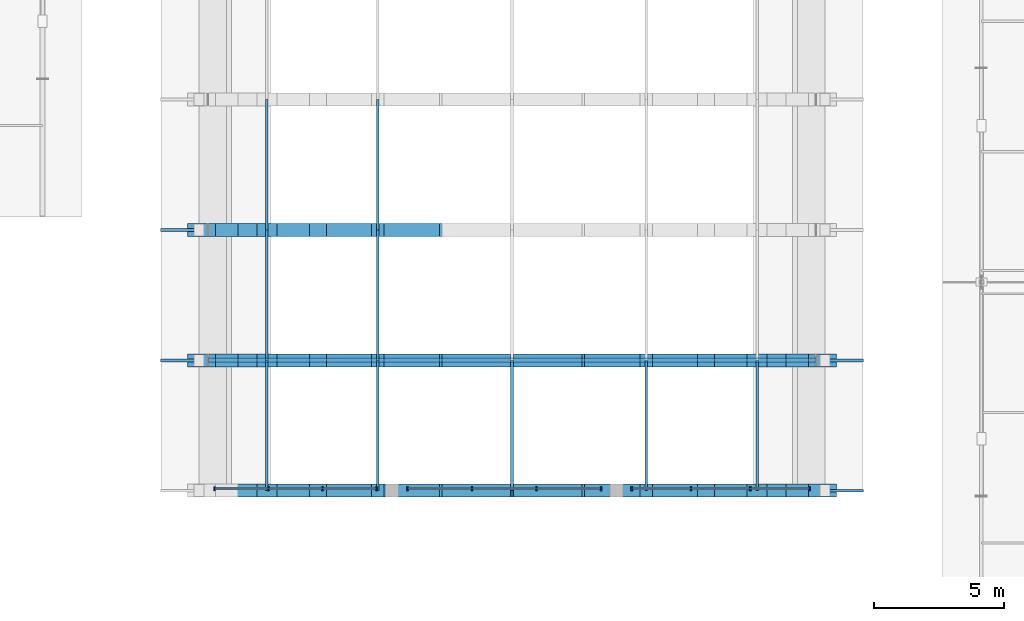
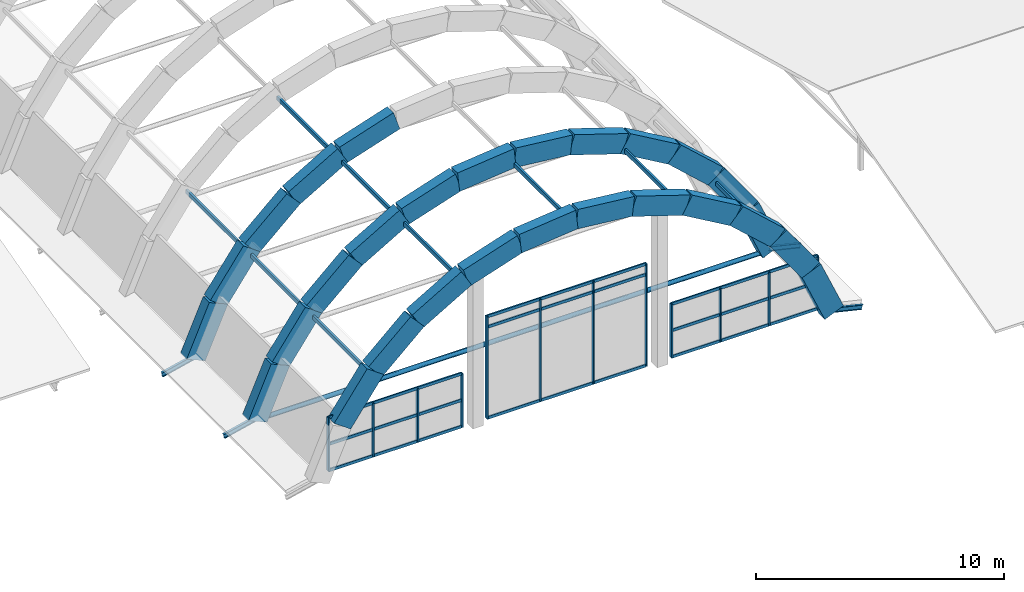
# One storey, part 14 of 76: 32 beams, 31 members, 3 elements without a shape of their own.
"""IFC4 building model written with IfcOpenShell, lengths in metres."""

import ifcopenshell
import ifcopenshell.guid

model = None  # the IFC model being written
_history = None  # IfcOwnerHistory: only IFC2X3 demands one
_inside = {}  # id of a spatial element -> (the spatial element, [elements in it])
_under = {}  # id of a project, library or spatial element -> (it, [spatial elements below it])
_declared = {}  # id of a project -> (the project, [libraries it declares])
_typed = {}  # id of a type object -> (the type object, [elements of that type])
_made_of = {}  # id of a material, layer set ... -> (it, [elements and type objects made of it])


def new_model(schema):
    """Start an empty IFC model of exactly this schema.

    Asked for "IFC4X3", IfcOpenShell would pick the latest addendum, in which some entities
    have other attributes; the version numbers below select the first issue.
    IFC2X3 requires an IfcOwnerHistory on every rooted entity: one is made here for all.
    """
    global model, _history
    if schema == "IFC4X3":
        model = ifcopenshell.file(schema_version=(4, 3, 0, 0))
    else:
        model = ifcopenshell.file(schema=schema)
    _inside.clear()
    _under.clear()
    _declared.clear()
    _typed.clear()
    _made_of.clear()
    _history = None
    if model.schema == "IFC2X3":
        org = make("IfcOrganization", Name="unknown")
        user = make(
            "IfcPersonAndOrganization",
            ThePerson=make("IfcPerson", FamilyName="unknown"),
            TheOrganization=org,
        )
        app = make(
            "IfcApplication",
            ApplicationDeveloper=org,
            Version="unknown",
            ApplicationFullName="unknown",
            ApplicationIdentifier="unknown",
        )
        _history = make(
            "IfcOwnerHistory",
            OwningUser=user,
            OwningApplication=app,
            ChangeAction="ADDED",
            CreationDate=0,
        )
    return model


def make(cls, **values):
    """One entity of the class cls with the attributes given. An attribute that is None is left unset."""
    return model.create_entity(
        cls, **{name: value for name, value in values.items() if value is not None}
    )


def rooted(cls, **values):
    """An entity with a GlobalId (a new one), such as an element, a storey or a relation."""
    return make(cls, GlobalId=ifcopenshell.guid.new(), OwnerHistory=_history, **values)


def si_unit(unit_type, name, prefix=None):
    """IfcSIUnit, for example si_unit("LENGTHUNIT", "METRE", prefix="MILLI")."""
    return make("IfcSIUnit", UnitType=unit_type, Prefix=prefix, Name=name)


def assignment(units):
    """IfcUnitAssignment: the units of a project."""
    return None if units is None else make("IfcUnitAssignment", Units=units)


def point(xyz):
    """IfcCartesianPoint."""
    return None if xyz is None else make("IfcCartesianPoint", Coordinates=xyz)


def direction(xyz):
    """IfcDirection."""
    return None if xyz is None else make("IfcDirection", DirectionRatios=xyz)


def frame(location, z_axis=None, x_axis=None):
    """IfcAxis2Placement3D, a coordinate frame: its origin and axes. An axis left out is left unset."""
    return make(
        "IfcAxis2Placement3D",
        Location=point(location),
        Axis=direction(z_axis),
        RefDirection=direction(x_axis),
    )


def frame_2d(location, x_axis=None):
    """IfcAxis2Placement2D, a coordinate frame in the plane: its origin and x axis."""
    return make(
        "IfcAxis2Placement2D", Location=point(location), RefDirection=direction(x_axis)
    )


def origin():
    """The frame at (0, 0, 0) with its axes left unset."""
    return frame((0.0, 0.0, 0.0))


def origin_2d():
    """The frame at (0, 0) in the plane with its x axis left unset."""
    return frame_2d((0.0, 0.0))


def place(relative_to, where):
    """IfcLocalPlacement: puts the frame where relative to a parent placement (None: the world)."""
    return make(
        "IfcLocalPlacement", PlacementRelTo=relative_to, RelativePlacement=where
    )


def context(
    kind, dimensions, precision=None, world=None, true_north=None, identifier=None
):
    """IfcGeometricRepresentationContext, for example the 3D "Model" context."""
    return make(
        "IfcGeometricRepresentationContext",
        ContextIdentifier=identifier,
        ContextType=kind,
        CoordinateSpaceDimension=dimensions,
        Precision=precision,
        WorldCoordinateSystem=world,
        TrueNorth=true_north,
    )


def subcontext(parent, identifier, kind, view, scale=None):
    """IfcGeometricRepresentationSubContext, for example "Body" below "Model"."""
    return make(
        "IfcGeometricRepresentationSubContext",
        ContextIdentifier=identifier,
        ContextType=kind,
        ParentContext=parent,
        TargetScale=scale,
        TargetView=view,
    )


def project(units=None, contexts=None):
    """IfcProject with its units and contexts."""
    return rooted(
        "IfcProject",
        Name="project",
        RepresentationContexts=contexts,
        UnitsInContext=assignment(units),
    )


def spatial(cls, under=None, at=None, **own):
    """A site, building, storey or space (cls), placed at a placement, below another one or the project."""
    s = rooted(cls, ObjectPlacement=at, **own)
    if under is not None:
        _under.setdefault(under.id(), (under, []))[1].append(s)
    return s


def profile(cls, at=None, kind="AREA", **sizes):
    """A parametric profile (cls). Its sizes go by their IFC names, for example OverallWidth=200.0."""
    return make(cls, ProfileType=kind, Position=at, **sizes)


def rectangle(**sizes):
    """IfcRectangleProfileDef."""
    return profile("IfcRectangleProfileDef", **sizes)


def hollow_rectangle(**sizes):
    """IfcRectangleHollowProfileDef."""
    return profile("IfcRectangleHollowProfileDef", **sizes)


def hollow_circle(**sizes):
    """IfcCircleHollowProfileDef."""
    return profile("IfcCircleHollowProfileDef", **sizes)


def i_section(**sizes):
    """IfcIShapeProfileDef."""
    return profile("IfcIShapeProfileDef", **sizes)


def extrude(swept, where, along, depth):
    """IfcExtrudedAreaSolid: the profile swept, set in the frame where, extruded along a direction by depth."""
    return make(
        "IfcExtrudedAreaSolid",
        SweptArea=swept,
        Position=where,
        ExtrudedDirection=direction(along),
        Depth=depth,
    )


def shape(context_of_items, identifier, shape_type, items):
    """IfcShapeRepresentation: the items that make up one representation, for example the "Body"."""
    return make(
        "IfcShapeRepresentation",
        ContextOfItems=context_of_items,
        RepresentationIdentifier=identifier,
        RepresentationType=shape_type,
        Items=items,
    )


def material(Name=None, Category=None):
    """IfcMaterial."""
    return make("IfcMaterial", Name=Name, Category=Category)


def material_profile(
    of_material, cross_section, Name=None, Category=None, Priority=None
):
    """IfcMaterialProfile: a cross section and its material."""
    return make(
        "IfcMaterialProfile",
        Name=Name,
        Material=of_material,
        Profile=cross_section,
        Priority=Priority,
        Category=Category,
    )


def profile_set(profiles, Name=None, composite=None):
    """IfcMaterialProfileSet."""
    return make(
        "IfcMaterialProfileSet",
        Name=Name,
        MaterialProfiles=profiles,
        CompositeProfile=composite,
    )


def made_of(thing, what):
    """Note that an element or type object is made of a material, layer set ...; save() writes the relation."""
    if what is not None:
        _made_of.setdefault(what.id(), (what, []))[1].append(thing)
    return thing


def type_object(cls, material=None, **own):
    """A type object (cls), such as IfcWallType, which elements share."""
    return made_of(rooted(cls, **own), material)


def element(
    cls,
    number,
    at=None,
    inside=None,
    cuts=None,
    type_object=None,
    material=None,
    context=None,
    identifier="Body",
    shape_type=None,
    held_by="IfcProductDefinitionShape",
    body=None,
    shapes=None,
    **own,
):
    """One element of the class cls, such as IfcWall. Its Tag is "e" and its number.

    at: its placement. inside: the storey or other place that contains it. cuts: it is an
    opening in that element (IfcRelVoidsElement). A single representation is given by context,
    identifier, shape_type and body (its items); several are given by shapes. held_by: the class
    of the entity that holds the representations. save() writes the other relations.
    """
    e = rooted(cls, Tag="e%d" % number, ObjectPlacement=at, **own)
    if body is not None:
        shapes = [shape(context, identifier, shape_type, body)]
    if shapes is not None:
        e.Representation = make(held_by, Representations=shapes)
    if inside is not None:
        _inside.setdefault(inside.id(), (inside, []))[1].append(e)
    if cuts is not None:
        rooted(
            "IfcRelVoidsElement", RelatingBuildingElement=cuts, RelatedOpeningElement=e
        )
    if type_object is not None:
        _typed.setdefault(type_object.id(), (type_object, []))[1].append(e)
    return made_of(e, material)


def aggregate(whole, parts):
    """IfcRelAggregates: a whole, such as a stair, and the parts it consists of."""
    return rooted("IfcRelAggregates", RelatingObject=whole, RelatedObjects=parts)


def save(model, path):
    """Write the relations noted so far, then the file.

    IfcRelAggregates (storeys below a building ...), IfcRelContainedInSpatialStructure (elements
    in a storey), IfcRelDefinesByType, IfcRelAssociatesMaterial and IfcRelDeclares: one each for
    every whole, place, type object, material and project.
    """
    for whole, parts in _under.values():
        aggregate(whole, parts)
    for where, things in _inside.values():
        rooted(
            "IfcRelContainedInSpatialStructure",
            RelatedElements=things,
            RelatingStructure=where,
        )
    for kind, things in _typed.values():
        rooted("IfcRelDefinesByType", RelatedObjects=things, RelatingType=kind)
    for what, things in _made_of.values():
        rooted("IfcRelAssociatesMaterial", RelatedObjects=things, RelatingMaterial=what)
    for by, libraries in _declared.values():
        rooted("IfcRelDeclares", RelatingContext=by, RelatedDefinitions=libraries)
    model.write(path)


model = new_model("IFC4")

# Units and contexts
model_context = context("Model", 3, precision=1e-05, world=origin(), true_north=direction((0.0, 1.0)))
body_context = subcontext(model_context, "Body", "Model", "MODEL_VIEW")
ifc_project = project(units=[si_unit("LENGTHUNIT", "METRE"), si_unit("AREAUNIT", "SQUARE_METRE"), si_unit("VOLUMEUNIT", "CUBIC_METRE"), si_unit("PLANEANGLEUNIT", "RADIAN"), si_unit("MASSUNIT", "GRAM", prefix="KILO")], contexts=[model_context])

# Site, building, storey
site_placement = place(None, origin())
site = spatial("IfcSite", under=ifc_project, at=site_placement, CompositionType="ELEMENT")
building_placement = place(site_placement, origin())
building = spatial("IfcBuilding", under=site, at=building_placement, Name="Kiranvali Square Residences", CompositionType="ELEMENT")
storey_placement = place(building_placement, frame((0.0, 0.0, 8.699951171875)))
storey = spatial("IfcBuildingStorey", under=building, at=storey_placement, Name="L02", CompositionType="ELEMENT", Elevation=8.699951171875)

# Curtain wall, members
ifc_material_1 = material(Name="Anodised bronze aluminium framing", Category="aluminium")
curtain_wall_type = type_object("IfcCurtainWallType", Name="CW-CH-TYM", PredefinedType="USERDEFINED", material=ifc_material_1)
curtain_wall_1_placement = place(storey_placement, origin())
curtain_wall_1 = element("IfcCurtainWall", 1, at=curtain_wall_1_placement, inside=storey, type_object=curtain_wall_type, Name="Community Hall S vaulted tympanum glazing 1", ObjectType="CURTAIN WALL", PredefinedType="USERDEFINED")
ifc_material_profile_1 = material_profile(ifc_material_1, rectangle(XDim=0.06494140625, YDim=0.159912109375, at=origin_2d()), Name="ALU 65x160")
ifc_profile_set_1 = profile_set([ifc_material_profile_1], Name="Anodised bronze aluminium framing")
member_type_1 = type_object("IfcMemberType", Name="CW-MUL-160", PredefinedType="MULLION", material=ifc_profile_set_1)
member_1_placement = place(storey_placement, frame((72.590087890625, 44.080078125, 0.0400390625), z_axis=(0.0, 0.0, 1.0), x_axis=(1.0, 0.0, 0.0)))
member_1 = element("IfcMember", 2, at=member_1_placement, type_object=member_type_1, Name="CW-CH-TYM-S-1 vertical mullion 1", PredefinedType="MULLION", context=body_context, shape_type="SweptSolid", body=[
    extrude(rectangle(XDim=0.06494140625, YDim=0.159912109375, at=origin_2d()), origin(), (0.0, 0.0, 1.0), 2.639892578125),
])
member_2_placement = place(storey_placement, frame((74.663330078125, 44.080078125, 0.0400390625), z_axis=(0.0, 0.0, 1.0), x_axis=(1.0, 0.0, 0.0)))
member_2 = element("IfcMember", 3, at=member_2_placement, type_object=member_type_1, Name="CW-CH-TYM-S-1 vertical mullion 2", PredefinedType="MULLION", context=body_context, shape_type="SweptSolid", body=[
    extrude(rectangle(XDim=0.06494140625, YDim=0.159912109375, at=origin_2d()), origin(), (0.0, 0.0, 1.0), 2.639892578125),
])
member_3_placement = place(storey_placement, frame((76.736572265625, 44.080078125, 0.0400390625), z_axis=(0.0, 0.0, 1.0), x_axis=(1.0, 0.0, 0.0)))
member_3 = element("IfcMember", 4, at=member_3_placement, type_object=member_type_1, Name="CW-CH-TYM-S-1 vertical mullion 3", PredefinedType="MULLION", context=body_context, shape_type="SweptSolid", body=[
    extrude(rectangle(XDim=0.06494140625, YDim=0.159912109375, at=origin_2d()), origin(), (0.0, 0.0, 1.0), 2.639892578125),
])
member_4_placement = place(storey_placement, frame((78.81005859375, 44.080078125, 0.0400390625), z_axis=(0.0, 0.0, 1.0), x_axis=(1.0, 0.0, 0.0)))
member_4 = element("IfcMember", 5, at=member_4_placement, type_object=member_type_1, Name="CW-CH-TYM-S-1 vertical mullion 4", PredefinedType="MULLION", context=body_context, shape_type="SweptSolid", body=[
    extrude(rectangle(XDim=0.06494140625, YDim=0.159912109375, at=origin_2d()), origin(), (0.0, 0.0, 1.0), 2.639892578125),
])

curtain_wall_2_placement = place(storey_placement, origin())
curtain_wall_2 = element("IfcCurtainWall", 6, at=curtain_wall_2_placement, inside=storey, type_object=curtain_wall_type, Name="Community Hall S vaulted tympanum glazing 2", ObjectType="CURTAIN WALL", PredefinedType="USERDEFINED")
member_5_placement = place(storey_placement, frame((79.989990234375, 44.080078125, 0.0400390625), z_axis=(0.0, 0.0, 1.0), x_axis=(1.0, 0.0, 0.0)))
member_5 = element("IfcMember", 7, at=member_5_placement, type_object=member_type_1, Name="CW-CH-TYM-S-2 vertical mullion 1", PredefinedType="MULLION", context=body_context, shape_type="SweptSolid", body=[
    extrude(rectangle(XDim=0.06494140625, YDim=0.159912109375, at=origin_2d()), origin(), (0.0, 0.0, 1.0), 5.0400390625),
])
member_6_placement = place(storey_placement, frame((82.46337890625, 44.080078125, 0.0400390625), z_axis=(0.0, 0.0, 1.0), x_axis=(1.0, 0.0, 0.0)))
member_6 = element("IfcMember", 8, at=member_6_placement, type_object=member_type_1, Name="CW-CH-TYM-S-2 vertical mullion 2", PredefinedType="MULLION", context=body_context, shape_type="SweptSolid", body=[
    extrude(rectangle(XDim=0.06494140625, YDim=0.159912109375, at=origin_2d()), origin(), (0.0, 0.0, 1.0), 5.0400390625),
])
member_7_placement = place(storey_placement, frame((84.936767578125, 44.080078125, 0.0400390625), z_axis=(0.0, 0.0, 1.0), x_axis=(1.0, 0.0, 0.0)))
member_7 = element("IfcMember", 9, at=member_7_placement, type_object=member_type_1, Name="CW-CH-TYM-S-2 vertical mullion 3", PredefinedType="MULLION", context=body_context, shape_type="SweptSolid", body=[
    extrude(rectangle(XDim=0.06494140625, YDim=0.159912109375, at=origin_2d()), origin(), (0.0, 0.0, 1.0), 5.0400390625),
])
member_8_placement = place(storey_placement, frame((87.409912109375, 44.080078125, 0.0400390625), z_axis=(0.0, 0.0, 1.0), x_axis=(1.0, 0.0, 0.0)))
member_8 = element("IfcMember", 10, at=member_8_placement, type_object=member_type_1, Name="CW-CH-TYM-S-2 vertical mullion 4", PredefinedType="MULLION", context=body_context, shape_type="SweptSolid", body=[
    extrude(rectangle(XDim=0.06494140625, YDim=0.159912109375, at=origin_2d()), origin(), (0.0, 0.0, 1.0), 5.0400390625),
])

curtain_wall_3_placement = place(storey_placement, origin())
curtain_wall_3 = element("IfcCurtainWall", 11, at=curtain_wall_3_placement, inside=storey, type_object=curtain_wall_type, Name="Community Hall S vaulted tympanum glazing 3", ObjectType="CURTAIN WALL", PredefinedType="USERDEFINED")
member_9_placement = place(storey_placement, frame((88.590087890625, 44.080078125, 0.0400390625), z_axis=(0.0, 0.0, 1.0), x_axis=(1.0, 0.0, 0.0)))
member_9 = element("IfcMember", 12, at=member_9_placement, type_object=member_type_1, Name="CW-CH-TYM-S-3 vertical mullion 1", PredefinedType="MULLION", context=body_context, shape_type="SweptSolid", body=[
    extrude(rectangle(XDim=0.06494140625, YDim=0.159912109375, at=origin_2d()), origin(), (0.0, 0.0, 1.0), 2.639892578125),
])
member_10_placement = place(storey_placement, frame((90.86328125, 44.080078125, 0.0400390625), z_axis=(0.0, 0.0, 1.0), x_axis=(1.0, 0.0, 0.0)))
member_10 = element("IfcMember", 13, at=member_10_placement, type_object=member_type_1, Name="CW-CH-TYM-S-3 vertical mullion 2", PredefinedType="MULLION", context=body_context, shape_type="SweptSolid", body=[
    extrude(rectangle(XDim=0.06494140625, YDim=0.159912109375, at=origin_2d()), origin(), (0.0, 0.0, 1.0), 2.639892578125),
])
member_11_placement = place(storey_placement, frame((93.13671875, 44.080078125, 0.0400390625), z_axis=(0.0, 0.0, 1.0), x_axis=(1.0, 0.0, 0.0)))
member_11 = element("IfcMember", 14, at=member_11_placement, type_object=member_type_1, Name="CW-CH-TYM-S-3 vertical mullion 3", PredefinedType="MULLION", context=body_context, shape_type="SweptSolid", body=[
    extrude(rectangle(XDim=0.06494140625, YDim=0.159912109375, at=origin_2d()), origin(), (0.0, 0.0, 1.0), 2.639892578125),
])
member_12_placement = place(storey_placement, frame((95.409912109375, 44.080078125, 0.0400390625), z_axis=(0.0, 0.0, 1.0), x_axis=(1.0, 0.0, 0.0)))
member_12 = element("IfcMember", 15, at=member_12_placement, type_object=member_type_1, Name="CW-CH-TYM-S-3 vertical mullion 4", PredefinedType="MULLION", context=body_context, shape_type="SweptSolid", body=[
    extrude(rectangle(XDim=0.06494140625, YDim=0.159912109375, at=origin_2d()), origin(), (0.0, 0.0, 1.0), 2.639892578125),
])

# Member
ifc_material_profile_2 = material_profile(ifc_material_1, rectangle(XDim=0.06494140625, YDim=0.139892578125, at=origin_2d()), Name="ALU 65x140")
ifc_profile_set_2 = profile_set([ifc_material_profile_2], Name="Anodised bronze aluminium framing")
member_type_2 = type_object("IfcMemberType", Name="CW-TRN-140", PredefinedType="MULLION", material=ifc_profile_set_2)
member_13_placement = place(storey_placement, frame((72.60009765625, 44.080078125, 0.06005859375), z_axis=(1.0, 0.0, 0.0), x_axis=(0.0, 1.0, 0.0)))
member_13 = element("IfcMember", 16, at=member_13_placement, type_object=member_type_2, Name="CW-CH-TYM-S-1 horizontal transom 1", PredefinedType="MULLION", context=body_context, shape_type="SweptSolid", body=[
    extrude(rectangle(XDim=0.06494140625, YDim=0.139892578125, at=origin_2d()), origin(), (0.0, 0.0, 1.0), 6.199951171875),
])

member_14_placement = place(storey_placement, frame((72.60009765625, 44.080078125, 1.360107421875), z_axis=(1.0, 0.0, 0.0), x_axis=(0.0, 1.0, 0.0)))
member_14 = element("IfcMember", 17, at=member_14_placement, type_object=member_type_2, Name="CW-CH-TYM-S-1 horizontal transom 2", PredefinedType="MULLION", context=body_context, shape_type="SweptSolid", body=[
    extrude(rectangle(XDim=0.06494140625, YDim=0.139892578125, at=origin_2d()), origin(), (0.0, 0.0, 1.0), 6.199951171875),
])

member_15_placement = place(storey_placement, frame((72.60009765625, 44.080078125, 2.66015625), z_axis=(1.0, 0.0, 0.0), x_axis=(0.0, 1.0, 0.0)))
member_15 = element("IfcMember", 18, at=member_15_placement, type_object=member_type_2, Name="CW-CH-TYM-S-1 horizontal transom 3", PredefinedType="MULLION", context=body_context, shape_type="SweptSolid", body=[
    extrude(rectangle(XDim=0.06494140625, YDim=0.139892578125, at=origin_2d()), origin(), (0.0, 0.0, 1.0), 6.199951171875),
])

aggregate(curtain_wall_1, [member_1, member_2, member_3, member_4, member_13, member_14, member_15])

member_16_placement = place(storey_placement, frame((80.0, 44.080078125, 0.06005859375), z_axis=(1.0, 0.0, 0.0), x_axis=(0.0, 1.0, 0.0)))
member_16 = element("IfcMember", 19, at=member_16_placement, type_object=member_type_2, Name="CW-CH-TYM-S-2 horizontal transom 1", PredefinedType="MULLION", context=body_context, shape_type="SweptSolid", body=[
    extrude(rectangle(XDim=0.06494140625, YDim=0.139892578125, at=origin_2d()), origin(), (0.0, 0.0, 1.0), 7.39990234375),
])

member_17_placement = place(storey_placement, frame((80.0, 44.080078125, 4.550048828125), z_axis=(1.0, 0.0, 0.0), x_axis=(0.0, 1.0, 0.0)))
member_17 = element("IfcMember", 20, at=member_17_placement, type_object=member_type_2, Name="CW-CH-TYM-S-2 horizontal transom 2", PredefinedType="MULLION", context=body_context, shape_type="SweptSolid", body=[
    extrude(rectangle(XDim=0.06494140625, YDim=0.139892578125, at=origin_2d()), origin(), (0.0, 0.0, 1.0), 7.39990234375),
])

member_18_placement = place(storey_placement, frame((80.0, 44.080078125, 5.06005859375), z_axis=(1.0, 0.0, 0.0), x_axis=(0.0, 1.0, 0.0)))
member_18 = element("IfcMember", 21, at=member_18_placement, type_object=member_type_2, Name="CW-CH-TYM-S-2 horizontal transom 3", PredefinedType="MULLION", context=body_context, shape_type="SweptSolid", body=[
    extrude(rectangle(XDim=0.06494140625, YDim=0.139892578125, at=origin_2d()), origin(), (0.0, 0.0, 1.0), 7.39990234375),
])

aggregate(curtain_wall_2, [member_5, member_6, member_7, member_8, member_16, member_17, member_18])

member_19_placement = place(storey_placement, frame((88.60009765625, 44.080078125, 0.06005859375), z_axis=(1.0, 0.0, 0.0), x_axis=(0.0, 1.0, 0.0)))
member_19 = element("IfcMember", 22, at=member_19_placement, type_object=member_type_2, Name="CW-CH-TYM-S-3 horizontal transom 1", PredefinedType="MULLION", context=body_context, shape_type="SweptSolid", body=[
    extrude(rectangle(XDim=0.06494140625, YDim=0.139892578125, at=origin_2d()), origin(), (0.0, 0.0, 1.0), 6.7998046875),
])

member_20_placement = place(storey_placement, frame((88.60009765625, 44.080078125, 1.360107421875), z_axis=(1.0, 0.0, 0.0), x_axis=(0.0, 1.0, 0.0)))
member_20 = element("IfcMember", 23, at=member_20_placement, type_object=member_type_2, Name="CW-CH-TYM-S-3 horizontal transom 2", PredefinedType="MULLION", context=body_context, shape_type="SweptSolid", body=[
    extrude(rectangle(XDim=0.06494140625, YDim=0.139892578125, at=origin_2d()), origin(), (0.0, 0.0, 1.0), 6.7998046875),
])

member_21_placement = place(storey_placement, frame((88.60009765625, 44.080078125, 2.66015625), z_axis=(1.0, 0.0, 0.0), x_axis=(0.0, 1.0, 0.0)))
member_21 = element("IfcMember", 24, at=member_21_placement, type_object=member_type_2, Name="CW-CH-TYM-S-3 horizontal transom 3", PredefinedType="MULLION", context=body_context, shape_type="SweptSolid", body=[
    extrude(rectangle(XDim=0.06494140625, YDim=0.139892578125, at=origin_2d()), origin(), (0.0, 0.0, 1.0), 6.7998046875),
])

aggregate(curtain_wall_3, [member_9, member_10, member_11, member_12, member_19, member_20, member_21])

# Members
ifc_material_2 = material(Name="Structural steel E350", Category="steel")
ifc_material_profile_3 = material_profile(ifc_material_2, hollow_circle(Radius=0.109619140625, WallThickness=0.012451171875, at=origin_2d()), Name="CHS 219.1x12.5")
ifc_profile_set_3 = profile_set([ifc_material_profile_3], Name="Structural steel E350")
member_type_3 = type_object("IfcMemberType", Name="MEM-CHS219-TIE", PredefinedType="USERDEFINED", material=ifc_profile_set_3)
member_22_placement = place(storey_placement, frame((72.35009765625, 49.0, -0.25), z_axis=(1.0, 0.0, 0.0), x_axis=(0.0, 1.0, 0.0)))
element("IfcMember", 25, at=member_22_placement, inside=storey, type_object=member_type_3, Name="Exposed Vault Arch Tie Rod TR-2", ObjectType="TIE ROD", PredefinedType="USERDEFINED", context=body_context, shape_type="SweptSolid", body=[
    extrude(hollow_circle(Radius=0.109619140625, WallThickness=0.012451171875, at=origin_2d()), origin(), (0.0, 0.0, 1.0), 23.2998046875),
])
ifc_material_profile_4 = material_profile(ifc_material_2, hollow_rectangle(XDim=0.10009765625, YDim=0.199951171875, WallThickness=0.006103515625, at=origin_2d()), Name="RHS 200x100x6.0")
ifc_profile_set_4 = profile_set([ifc_material_profile_4], Name="Structural steel E350")
member_type_4 = type_object("IfcMemberType", Name="MEM-RHS200", PredefinedType="PURLIN", material=ifc_profile_set_4)
for number, where, z_axis, x_axis, name in (
    (26, (74.600341796875, 44.0, 4.081787109375), (0.0, 1.0, 0.0), (-1.0, 0.0, 0.0), "Community Hall barrel-vault longitudinal purlin N2.1"),
    (27, (74.600341796875, 49.0, 4.081787109375), (0.0, 1.0, 0.0), (-1.0, 0.0, 0.0), "Community Hall barrel-vault longitudinal purlin N2.2"),
    (28, (74.600341796875, 54.0, 4.081787109375), (0.0, 1.0, 0.0), (-1.0, 0.0, 0.0), "Community Hall barrel-vault longitudinal purlin N2.3"),
    (29, (78.8486328125, 44.0, 7.197021484375), (0.0, 1.0, 0.0), (-1.0, 0.0, 0.0), "Community Hall barrel-vault longitudinal purlin N4.1"),
    (30, (78.8486328125, 49.0, 7.197021484375), (0.0, 1.0, 0.0), (-1.0, 0.0, 0.0), "Community Hall barrel-vault longitudinal purlin N4.2"),
    (31, (78.8486328125, 54.0, 7.197021484375), (0.0, 1.0, 0.0), (-1.0, 0.0, 0.0), "Community Hall barrel-vault longitudinal purlin N4.3"),
    (32, (84.0, 44.0, 8.300048828125), (0.0, 1.0, 0.0), (-1.0, 0.0, 0.0), "Community Hall barrel-vault longitudinal purlin N6.1"),
    (33, (89.1513671875, 44.0, 7.197021484375), (0.0, 1.0, 0.0), (-1.0, 0.0, 0.0), "Community Hall barrel-vault longitudinal purlin N8.1"),
    (34, (93.399658203125, 44.0, 4.081787109375), (0.0, 1.0, 0.0), (-1.0, 0.0, 0.0), "Community Hall barrel-vault longitudinal purlin N10.1"),
):
    element("IfcMember", number, at=place(storey_placement, frame(where, z_axis=z_axis, x_axis=x_axis)), inside=storey, type_object=member_type_4, Name=name, PredefinedType="PURLIN", context=body_context, shape_type="SweptSolid", body=[
        extrude(hollow_rectangle(XDim=0.10009765625, YDim=0.199951171875, WallThickness=0.006103515625, at=origin_2d()), origin(), (0.0, 0.0, 1.0), 5.0),
    ])

# Beams
ifc_material_profile_5 = material_profile(ifc_material_2, i_section(OverallWidth=0.110107421875, OverallDepth=0.22509765625, WebThickness=0.006591796875, FlangeThickness=0.01171875, at=origin_2d()), Name="ISMB 225")
ifc_profile_set_5 = profile_set([ifc_material_profile_5], Name="Structural steel E350")
beam_type_1 = type_object("IfcBeamType", Name="SBM-ISMB225", PredefinedType="JOIST", material=ifc_profile_set_5)
for number, where, z_axis, x_axis, name in (
    (35, (72.0, 49.0, -0.179931640625), (-0.973578169392, 0.0, -0.2283539973), (0.0, -1.0, 0.0), "Community Hall Ottoman eave bracket W2"),
    (36, (72.0, 54.0, -0.179931640625), (-0.973578169392, 0.0, -0.2283539973), (0.0, -1.0, 0.0), "Community Hall Ottoman eave bracket W3"),
    (37, (96.0, 44.0, -0.179931640625), (0.973578169392, 0.0, -0.2283539973), (0.0, 1.0, 0.0), "Community Hall Ottoman eave bracket E1"),
    (38, (96.0, 49.0, -0.179931640625), (0.973578169392, 0.0, -0.2283539973), (0.0, 1.0, 0.0), "Community Hall Ottoman eave bracket E2"),
):
    element("IfcBeam", number, at=place(storey_placement, frame(where, z_axis=z_axis, x_axis=x_axis)), inside=storey, type_object=beam_type_1, Name=name, PredefinedType="JOIST", context=body_context, shape_type="SweptSolid", body=[
        extrude(i_section(OverallWidth=0.110107421875, OverallDepth=0.22509765625, WebThickness=0.006591796875, FlangeThickness=0.01171875, at=origin_2d()), origin(), (0.0, 0.0, 1.0), 1.4892578125),
    ])
ifc_material_3 = material(Name="Concrete M45 (45 MPa)", Category="concrete")
ifc_material_profile_6 = material_profile(ifc_material_3, rectangle(XDim=0.5, YDim=0.949951171875, at=origin_2d()), Name="RC 500x950")
ifc_profile_set_6 = profile_set([ifc_material_profile_6], Name="Concrete M45 (45 MPa)")
beam_type_2 = type_object("IfcBeamType", Name="VR-M45-500x950", PredefinedType="USERDEFINED", material=ifc_profile_set_6)
beam_1_placement = place(storey_placement, frame((73.0576171875, 44.0, 2.2685546875), z_axis=(0.582440788805, 0.0, 0.812873131267), x_axis=(0.0, 1.0, 0.0)))
element("IfcBeam", 39, at=beam_1_placement, inside=storey, type_object=beam_type_2, Name="Exposed Vault Arch Rib VR-1 bay 1 seg 2", ObjectType="ARCH RIB", PredefinedType="USERDEFINED", context=body_context, shape_type="SweptSolid", body=[
    extrude(rectangle(XDim=0.5, YDim=0.949951171875, at=origin_2d()), origin(), (0.0, 0.0, 1.0), 2.648681640625),
])
beam_2_placement = place(storey_placement, frame((74.600341796875, 44.0, 4.421630859375), z_axis=(0.739639727278, 0.0, 0.673003026615), x_axis=(0.0, 1.0, 0.0)))
element("IfcBeam", 40, at=beam_2_placement, inside=storey, type_object=beam_type_2, Name="Exposed Vault Arch Rib VR-1 bay 1 seg 3", ObjectType="ARCH RIB", PredefinedType="USERDEFINED", context=body_context, shape_type="SweptSolid", body=[
    extrude(rectangle(XDim=0.5, YDim=0.949951171875, at=origin_2d()), origin(), (0.0, 0.0, 1.0), 2.64892578125),
])
beam_3_placement = place(storey_placement, frame((76.5595703125, 44.0, 6.204345703125), z_axis=(0.864193138267, 0.0, 0.503160232701), x_axis=(0.0, 1.0, 0.0)))
element("IfcBeam", 41, at=beam_3_placement, inside=storey, type_object=beam_type_2, Name="Exposed Vault Arch Rib VR-1 bay 1 seg 4", ObjectType="ARCH RIB", PredefinedType="USERDEFINED", context=body_context, shape_type="SweptSolid", body=[
    extrude(rectangle(XDim=0.5, YDim=0.949951171875, at=origin_2d()), origin(), (0.0, 0.0, 1.0), 2.648681640625),
])
beam_4_placement = place(storey_placement, frame((78.8486328125, 44.0, 7.537109375), z_axis=(0.950356499345, 0.0, 0.311163179302), x_axis=(0.0, 1.0, 0.0)))
element("IfcBeam", 42, at=beam_4_placement, inside=storey, type_object=beam_type_2, Name="Exposed Vault Arch Rib VR-1 bay 1 seg 5", ObjectType="ARCH RIB", PredefinedType="USERDEFINED", context=body_context, shape_type="SweptSolid", body=[
    extrude(rectangle(XDim=0.5, YDim=0.949951171875, at=origin_2d()), origin(), (0.0, 0.0, 1.0), 2.64892578125),
])
for number, where, z_axis, x_axis, name in (
    (43, (81.365966796875, 44.0, 8.361328125), (0.99444467995, 0.0, 0.10526052688), (0.0, 1.0, 0.0), "Exposed Vault Arch Rib VR-1 bay 1 seg 6"),
    (44, (84.0, 44.0, 8.64013671875), (0.99444467995, 0.0, -0.10526052688), (0.0, 1.0, 0.0), "Exposed Vault Arch Rib VR-1 bay 1 seg 7"),
):
    element("IfcBeam", number, at=place(storey_placement, frame(where, z_axis=z_axis, x_axis=x_axis)), inside=storey, type_object=beam_type_2, Name=name, ObjectType="ARCH RIB", PredefinedType="USERDEFINED", context=body_context, shape_type="SweptSolid", body=[
        extrude(rectangle(XDim=0.5, YDim=0.949951171875, at=origin_2d()), origin(), (0.0, 0.0, 1.0), 2.648681640625),
    ])
beam_5_placement = place(storey_placement, frame((86.634033203125, 44.0, 8.361328125), z_axis=(0.950356499345, 0.0, -0.311163179302), x_axis=(0.0, 1.0, 0.0)))
element("IfcBeam", 45, at=beam_5_placement, inside=storey, type_object=beam_type_2, Name="Exposed Vault Arch Rib VR-1 bay 1 seg 8", ObjectType="ARCH RIB", PredefinedType="USERDEFINED", context=body_context, shape_type="SweptSolid", body=[
    extrude(rectangle(XDim=0.5, YDim=0.949951171875, at=origin_2d()), origin(), (0.0, 0.0, 1.0), 2.64892578125),
])
beam_6_placement = place(storey_placement, frame((89.1513671875, 44.0, 7.537109375), z_axis=(0.864193138267, 0.0, -0.503160232701), x_axis=(0.0, 1.0, 0.0)))
element("IfcBeam", 46, at=beam_6_placement, inside=storey, type_object=beam_type_2, Name="Exposed Vault Arch Rib VR-1 bay 1 seg 9", ObjectType="ARCH RIB", PredefinedType="USERDEFINED", context=body_context, shape_type="SweptSolid", body=[
    extrude(rectangle(XDim=0.5, YDim=0.949951171875, at=origin_2d()), origin(), (0.0, 0.0, 1.0), 2.648681640625),
])
beam_7_placement = place(storey_placement, frame((91.4404296875, 44.0, 6.204345703125), z_axis=(0.739639727278, 0.0, -0.673003026615), x_axis=(0.0, 1.0, 0.0)))
element("IfcBeam", 47, at=beam_7_placement, inside=storey, type_object=beam_type_2, Name="Exposed Vault Arch Rib VR-1 bay 1 seg 10", ObjectType="ARCH RIB", PredefinedType="USERDEFINED", context=body_context, shape_type="SweptSolid", body=[
    extrude(rectangle(XDim=0.5, YDim=0.949951171875, at=origin_2d()), origin(), (0.0, 0.0, 1.0), 2.64892578125),
])
for number, where, z_axis, x_axis, name in (
    (48, (93.399658203125, 44.0, 4.421630859375), (0.582440788805, 0.0, -0.812873131267), (0.0, 1.0, 0.0), "Exposed Vault Arch Rib VR-1 bay 1 seg 11"),
    (49, (94.9423828125, 44.0, 2.2685546875), (0.399285511826, 0.0, -0.916826635764), (0.0, 1.0, 0.0), "Exposed Vault Arch Rib VR-1 bay 1 seg 12"),
    (50, (72.0, 49.0, -0.159912109375), (0.399285511826, 0.0, 0.916826635764), (0.0, 1.0, 0.0), "Exposed Vault Arch Rib VR-1 bay 2 seg 1"),
    (51, (73.0576171875, 49.0, 2.2685546875), (0.582440788805, 0.0, 0.812873131267), (0.0, 1.0, 0.0), "Exposed Vault Arch Rib VR-1 bay 2 seg 2"),
):
    element("IfcBeam", number, at=place(storey_placement, frame(where, z_axis=z_axis, x_axis=x_axis)), inside=storey, type_object=beam_type_2, Name=name, ObjectType="ARCH RIB", PredefinedType="USERDEFINED", context=body_context, shape_type="SweptSolid", body=[
        extrude(rectangle(XDim=0.5, YDim=0.949951171875, at=origin_2d()), origin(), (0.0, 0.0, 1.0), 2.648681640625),
    ])
beam_8_placement = place(storey_placement, frame((74.600341796875, 49.0, 4.421630859375), z_axis=(0.739639727278, 0.0, 0.673003026615), x_axis=(0.0, 1.0, 0.0)))
element("IfcBeam", 52, at=beam_8_placement, inside=storey, type_object=beam_type_2, Name="Exposed Vault Arch Rib VR-1 bay 2 seg 3", ObjectType="ARCH RIB", PredefinedType="USERDEFINED", context=body_context, shape_type="SweptSolid", body=[
    extrude(rectangle(XDim=0.5, YDim=0.949951171875, at=origin_2d()), origin(), (0.0, 0.0, 1.0), 2.64892578125),
])
beam_9_placement = place(storey_placement, frame((76.5595703125, 49.0, 6.204345703125), z_axis=(0.864193138267, 0.0, 0.503160232701), x_axis=(0.0, 1.0, 0.0)))
element("IfcBeam", 53, at=beam_9_placement, inside=storey, type_object=beam_type_2, Name="Exposed Vault Arch Rib VR-1 bay 2 seg 4", ObjectType="ARCH RIB", PredefinedType="USERDEFINED", context=body_context, shape_type="SweptSolid", body=[
    extrude(rectangle(XDim=0.5, YDim=0.949951171875, at=origin_2d()), origin(), (0.0, 0.0, 1.0), 2.648681640625),
])
beam_10_placement = place(storey_placement, frame((78.8486328125, 49.0, 7.537109375), z_axis=(0.950356499345, 0.0, 0.311163179302), x_axis=(0.0, 1.0, 0.0)))
element("IfcBeam", 54, at=beam_10_placement, inside=storey, type_object=beam_type_2, Name="Exposed Vault Arch Rib VR-1 bay 2 seg 5", ObjectType="ARCH RIB", PredefinedType="USERDEFINED", context=body_context, shape_type="SweptSolid", body=[
    extrude(rectangle(XDim=0.5, YDim=0.949951171875, at=origin_2d()), origin(), (0.0, 0.0, 1.0), 2.64892578125),
])
for number, where, z_axis, x_axis, name in (
    (55, (81.365966796875, 49.0, 8.361328125), (0.99444467995, 0.0, 0.10526052688), (0.0, 1.0, 0.0), "Exposed Vault Arch Rib VR-1 bay 2 seg 6"),
    (56, (84.0, 49.0, 8.64013671875), (0.99444467995, 0.0, -0.10526052688), (0.0, 1.0, 0.0), "Exposed Vault Arch Rib VR-1 bay 2 seg 7"),
):
    element("IfcBeam", number, at=place(storey_placement, frame(where, z_axis=z_axis, x_axis=x_axis)), inside=storey, type_object=beam_type_2, Name=name, ObjectType="ARCH RIB", PredefinedType="USERDEFINED", context=body_context, shape_type="SweptSolid", body=[
        extrude(rectangle(XDim=0.5, YDim=0.949951171875, at=origin_2d()), origin(), (0.0, 0.0, 1.0), 2.648681640625),
    ])
beam_11_placement = place(storey_placement, frame((86.634033203125, 49.0, 8.361328125), z_axis=(0.950356499345, 0.0, -0.311163179302), x_axis=(0.0, 1.0, 0.0)))
element("IfcBeam", 57, at=beam_11_placement, inside=storey, type_object=beam_type_2, Name="Exposed Vault Arch Rib VR-1 bay 2 seg 8", ObjectType="ARCH RIB", PredefinedType="USERDEFINED", context=body_context, shape_type="SweptSolid", body=[
    extrude(rectangle(XDim=0.5, YDim=0.949951171875, at=origin_2d()), origin(), (0.0, 0.0, 1.0), 2.64892578125),
])
beam_12_placement = place(storey_placement, frame((89.1513671875, 49.0, 7.537109375), z_axis=(0.864193138267, 0.0, -0.503160232701), x_axis=(0.0, 1.0, 0.0)))
element("IfcBeam", 58, at=beam_12_placement, inside=storey, type_object=beam_type_2, Name="Exposed Vault Arch Rib VR-1 bay 2 seg 9", ObjectType="ARCH RIB", PredefinedType="USERDEFINED", context=body_context, shape_type="SweptSolid", body=[
    extrude(rectangle(XDim=0.5, YDim=0.949951171875, at=origin_2d()), origin(), (0.0, 0.0, 1.0), 2.648681640625),
])
beam_13_placement = place(storey_placement, frame((91.4404296875, 49.0, 6.204345703125), z_axis=(0.739639727278, 0.0, -0.673003026615), x_axis=(0.0, 1.0, 0.0)))
element("IfcBeam", 59, at=beam_13_placement, inside=storey, type_object=beam_type_2, Name="Exposed Vault Arch Rib VR-1 bay 2 seg 10", ObjectType="ARCH RIB", PredefinedType="USERDEFINED", context=body_context, shape_type="SweptSolid", body=[
    extrude(rectangle(XDim=0.5, YDim=0.949951171875, at=origin_2d()), origin(), (0.0, 0.0, 1.0), 2.64892578125),
])
for number, where, z_axis, x_axis, name in (
    (60, (93.399658203125, 49.0, 4.421630859375), (0.582440788805, 0.0, -0.812873131267), (0.0, 1.0, 0.0), "Exposed Vault Arch Rib VR-1 bay 2 seg 11"),
    (61, (94.9423828125, 49.0, 2.2685546875), (0.399285511826, 0.0, -0.916826635764), (0.0, 1.0, 0.0), "Exposed Vault Arch Rib VR-1 bay 2 seg 12"),
    (62, (72.0, 54.0, -0.159912109375), (0.399285511826, 0.0, 0.916826635764), (0.0, 1.0, 0.0), "Exposed Vault Arch Rib VR-1 bay 3 seg 1"),
    (63, (73.0576171875, 54.0, 2.2685546875), (0.582440788805, 0.0, 0.812873131267), (0.0, 1.0, 0.0), "Exposed Vault Arch Rib VR-1 bay 3 seg 2"),
):
    element("IfcBeam", number, at=place(storey_placement, frame(where, z_axis=z_axis, x_axis=x_axis)), inside=storey, type_object=beam_type_2, Name=name, ObjectType="ARCH RIB", PredefinedType="USERDEFINED", context=body_context, shape_type="SweptSolid", body=[
        extrude(rectangle(XDim=0.5, YDim=0.949951171875, at=origin_2d()), origin(), (0.0, 0.0, 1.0), 2.648681640625),
    ])
beam_14_placement = place(storey_placement, frame((74.600341796875, 54.0, 4.421630859375), z_axis=(0.739639727278, 0.0, 0.673003026615), x_axis=(0.0, 1.0, 0.0)))
element("IfcBeam", 64, at=beam_14_placement, inside=storey, type_object=beam_type_2, Name="Exposed Vault Arch Rib VR-1 bay 3 seg 3", ObjectType="ARCH RIB", PredefinedType="USERDEFINED", context=body_context, shape_type="SweptSolid", body=[
    extrude(rectangle(XDim=0.5, YDim=0.949951171875, at=origin_2d()), origin(), (0.0, 0.0, 1.0), 2.64892578125),
])
beam_15_placement = place(storey_placement, frame((76.5595703125, 54.0, 6.204345703125), z_axis=(0.864193138267, 0.0, 0.503160232701), x_axis=(0.0, 1.0, 0.0)))
element("IfcBeam", 65, at=beam_15_placement, inside=storey, type_object=beam_type_2, Name="Exposed Vault Arch Rib VR-1 bay 3 seg 4", ObjectType="ARCH RIB", PredefinedType="USERDEFINED", context=body_context, shape_type="SweptSolid", body=[
    extrude(rectangle(XDim=0.5, YDim=0.949951171875, at=origin_2d()), origin(), (0.0, 0.0, 1.0), 2.648681640625),
])
beam_16_placement = place(storey_placement, frame((78.8486328125, 54.0, 7.537109375), z_axis=(0.950356499345, 0.0, 0.311163179302), x_axis=(0.0, 1.0, 0.0)))
element("IfcBeam", 66, at=beam_16_placement, inside=storey, type_object=beam_type_2, Name="Exposed Vault Arch Rib VR-1 bay 3 seg 5", ObjectType="ARCH RIB", PredefinedType="USERDEFINED", context=body_context, shape_type="SweptSolid", body=[
    extrude(rectangle(XDim=0.5, YDim=0.949951171875, at=origin_2d()), origin(), (0.0, 0.0, 1.0), 2.64892578125),
])

save(model, "model.ifc")
